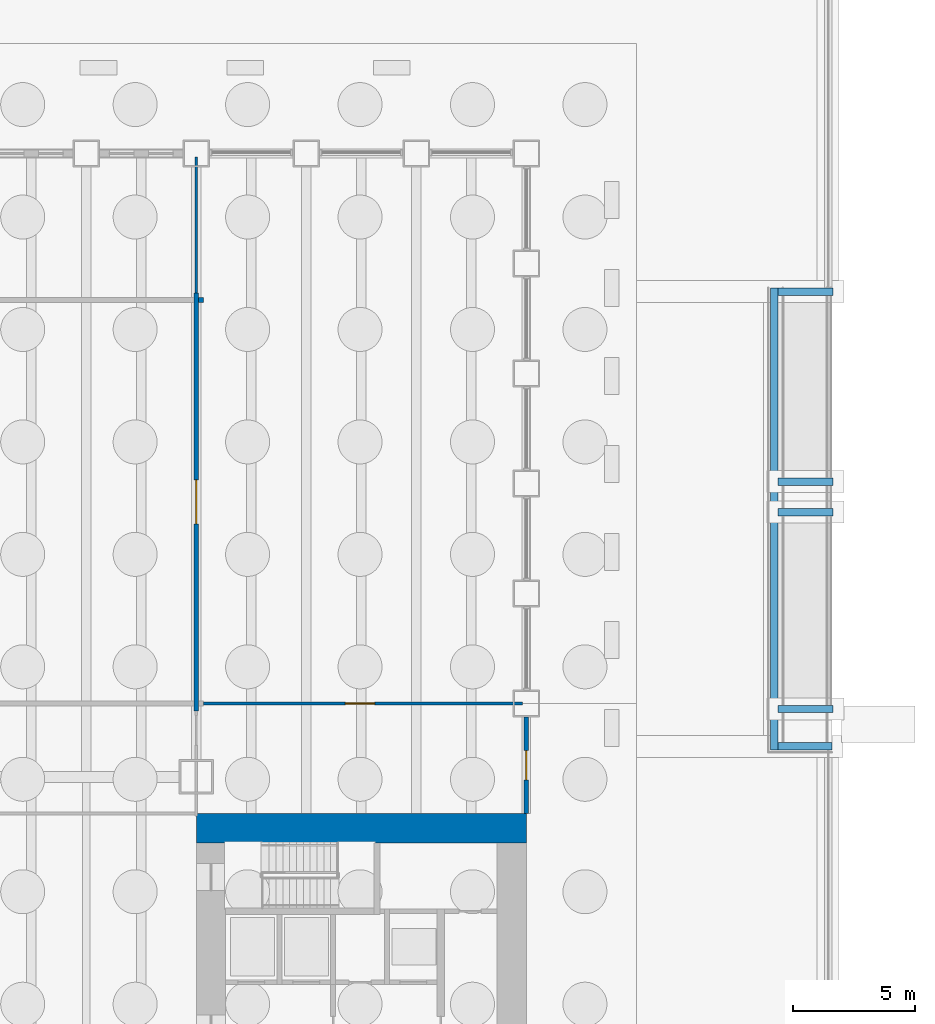
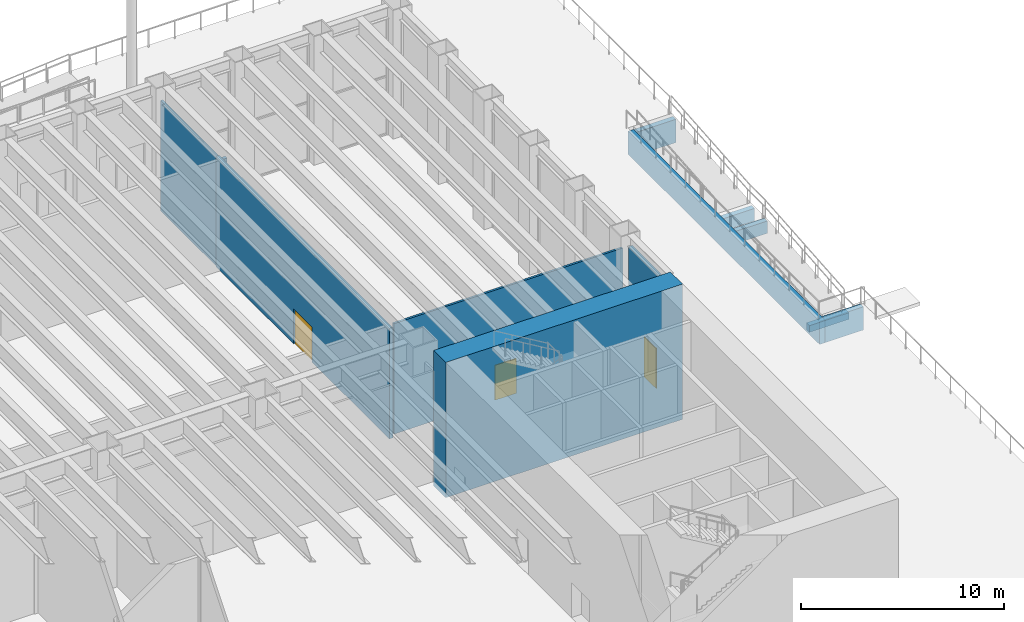
# One storey, part 14 of 26: 12 walls, 3 doors, 3 openings.
"""IFC4 building model written with IfcOpenShell, lengths in metres."""

from ifc_helpers import new_model, si_unit, direction, frame, frame_2d, origin, place, context, subcontext, project, spatial, rectangle, extrude, material, layer, layer_set, type_object, element, fill, save


model = new_model("IFC4")

# Units and contexts
model_context = context("Model", 3, precision=1e-05, world=origin(), true_north=direction((0.0, 1.0)))
body_context = subcontext(model_context, "Body", "Model", "MODEL_VIEW")
ifc_project = project(units=[si_unit("LENGTHUNIT", "METRE"), si_unit("AREAUNIT", "SQUARE_METRE"), si_unit("VOLUMEUNIT", "CUBIC_METRE"), si_unit("PLANEANGLEUNIT", "RADIAN"), si_unit("MASSUNIT", "GRAM", prefix="KILO")], contexts=[model_context])

# Site, building, storey
site_placement = place(None, origin())
site = spatial("IfcSite", under=ifc_project, at=site_placement, CompositionType="ELEMENT")
building_placement = place(site_placement, origin())
building = spatial("IfcBuilding", under=site, at=building_placement, Name="Sennacour Bend Tower", CompositionType="ELEMENT")
storey_placement = place(building_placement, origin())
storey = spatial("IfcBuildingStorey", under=building, at=storey_placement, Name="L00", CompositionType="ELEMENT", Elevation=0.0)

# Wall, opening, door
ifc_material_1 = material(Name="Bronze anodised aluminium panel", Category="aluminium")
ifc_layer_1 = layer(ifc_material_1, 0.030029296875, Name="Bronze anodised aluminium panel", Category="aluminium")
ifc_material_2 = material(Name="Precast concrete C40/50", Category="concrete")
ifc_layer_2 = layer(ifc_material_2, 0.169921875, Name="Precast concrete C40/50", Category="concrete")
ifc_layer_set_1 = layer_set([ifc_layer_1, ifc_layer_2], Name="Precast concrete C40/50 with bronze aluminium panel")
wall_type_1 = type_object("IfcWallType", Name="ALUMINIUM-CLAD INFILL WALL 200", PredefinedType="STANDARD", material=ifc_layer_set_1)
wall_1_placement = place(storey_placement, frame((67.5, 26.449951171875, 0.0), z_axis=(0.0, 0.0, 1.0), x_axis=(0.0, -1.0, 0.0)))
wall_1 = element("IfcWall", 1, at=wall_1_placement, inside=storey, type_object=wall_type_1, Name="Infill wall L00 00.00", PredefinedType="STANDARD", context=body_context, shape_type="SweptSolid", body=[
    extrude(rectangle(XDim=3.948974609375, YDim=0.199951171875, at=frame_2d((1.974609375, 0.0))), origin(), (0.0, 0.0, 1.0), 7.035888671875),
])
opening_1_placement = place(wall_1_placement, frame((1.37451171875, 0.0, 0.0)))
opening_1 = element("IfcOpeningElement", 2, at=opening_1_placement, cuts=wall_1, Name="Opening ED2", PredefinedType="OPENING", context=body_context, shape_type="SweptSolid", body=[
    extrude(rectangle(XDim=1.199951171875, YDim=2.39990234375, at=frame_2d((0.60009765625, 1.199951171875))), frame((0.0, 0.10986328125, 0.0), z_axis=(0.0, -1.0, 0.0), x_axis=(1.0, 0.0, 0.0)), (0.0, 0.0, 1.0), 0.219970703125),
])
ifc_material_3 = material(Name="Steel door leaf", Category="steel")
door_type_1 = type_object("IfcDoorType", Name="DR-SERVICE-1200x2400", OperationType="SINGLE_SWING_RIGHT", PredefinedType="DOOR", material=ifc_material_3)
door_1_placement = place(opening_1_placement, origin())
door_1 = element("IfcDoor", 3, at=door_1_placement, inside=storey, type_object=door_type_1, Name="Exterior door L00 00.00", OperationType="SINGLE_SWING_RIGHT", OverallHeight=2.39990234375, OverallWidth=1.199951171875, PredefinedType="DOOR", context=body_context, shape_type="SweptSolid", body=[
    extrude(rectangle(XDim=1.199951171875, YDim=2.39990234375, at=frame_2d((0.60009765625, 1.199951171875))), frame((0.0, 0.02490234375, 0.0), z_axis=(0.0, -1.0, 0.0), x_axis=(1.0, 0.0, 0.0)), (0.0, 0.0, 1.0), 0.050048828125),
])
fill(opening_1, door_1)

# Walls
ifc_material_4 = material(Name="Concrete C80/95", Category="concrete")
ifc_layer_3 = layer(ifc_material_4, 1.199951171875, Name="Concrete C80/95", Category="concrete")
ifc_layer_set_2 = layer_set([ifc_layer_3], Name="Concrete C80/95")
wall_type_2 = type_object("IfcWallType", Name="Core wall 1200 C80/95", PredefinedType="SHEAR", material=ifc_layer_set_2)
wall_2_placement = place(storey_placement, frame((54.0, 21.89990234375, -0.300048828125), z_axis=(0.0, 0.0, 1.0), x_axis=(1.0, 0.0, 0.0)))
element("IfcWall", 4, at=wall_2_placement, inside=storey, type_object=wall_type_2, Name="Core A wall L00 N", PredefinedType="SHEAR", context=body_context, shape_type="SweptSolid", body=[
    extrude(rectangle(XDim=13.5, YDim=1.199951171875, at=frame_2d((6.75, 0.0))), origin(), (0.0, 0.0, 1.0), 8.150146484375),
])
ifc_material_5 = material(Name="Concrete C40/50", Category="concrete")
ifc_layer_4 = layer(ifc_material_5, 0.300048828125, Name="Concrete C40/50", Category="concrete")
ifc_layer_set_3 = layer_set([ifc_layer_4], Name="Concrete C40/50")
wall_type_3 = type_object("IfcWallType", Name="PLAZA RETAINING WALL 300", PredefinedType="STANDARD", material=ifc_layer_set_3)
wall_3_placement = place(storey_placement, frame((77.64990234375, 44.0, -1.60009765625), z_axis=(0.0, 0.0, 1.0), x_axis=(0.0, -1.0, 0.0)))
element("IfcWall", 5, at=wall_3_placement, inside=storey, type_object=wall_type_3, Name="Plaza retaining wall East ramp", PredefinedType="STANDARD", context=body_context, shape_type="SweptSolid", body=[
    extrude(rectangle(XDim=18.89990234375, YDim=0.300048828125, at=frame_2d((9.449951171875, 0.0))), origin(), (0.0, 0.0, 1.0), 1.400146484375),
])
wall_4_placement = place(storey_placement, frame((77.800048828125, 25.25, -1.60009765625), z_axis=(0.0, 0.0, 1.0), x_axis=(1.0, 0.0, 0.0)))
element("IfcWall", 6, at=wall_4_placement, inside=storey, type_object=wall_type_3, Name="Plaza retaining wall East ramp foot", PredefinedType="STANDARD", context=body_context, shape_type="SweptSolid", body=[
    extrude(rectangle(XDim=2.199951171875, YDim=0.300048828125, at=frame_2d((1.10009765625, 0.0))), origin(), (0.0, 0.0, 1.0), 1.400146484375),
])
wall_5_placement = place(storey_placement, frame((77.800048828125, 43.85009765625, -1.60009765625), z_axis=(0.0, 0.0, 1.0), x_axis=(1.0, 0.0, 0.0)))
element("IfcWall", 7, at=wall_5_placement, inside=storey, type_object=wall_type_3, Name="Ramp bearing wall 1 East", PredefinedType="STANDARD", context=body_context, shape_type="SweptSolid", body=[
    extrude(rectangle(XDim=2.25, YDim=0.300048828125, at=frame_2d((1.125, 0.0))), origin(), (0.0, 0.0, 1.0), 1.400146484375),
])
for number, where, z_axis, x_axis, name in (
    (8, (77.800048828125, 36.074951171875, -1.60009765625), (0.0, 0.0, 1.0), (1.0, 0.0, 0.0), "Ramp bearing wall 2 East"),
    (9, (77.800048828125, 34.824951171875, -1.60009765625), (0.0, 0.0, 1.0), (1.0, 0.0, 0.0), "Ramp bearing wall 3 East"),
):
    element("IfcWall", number, at=place(storey_placement, frame(where, z_axis=z_axis, x_axis=x_axis)), inside=storey, type_object=wall_type_3, Name=name, PredefinedType="STANDARD", context=body_context, shape_type="SweptSolid", body=[
        extrude(rectangle(XDim=2.25, YDim=0.300048828125, at=frame_2d((1.125, 0.0))), origin(), (0.0, 0.0, 1.0), 0.75),
    ])
wall_6_placement = place(storey_placement, frame((77.800048828125, 26.77490234375, -1.89990234375), z_axis=(0.0, 0.0, 1.0), x_axis=(1.0, 0.0, 0.0)))
element("IfcWall", 10, at=wall_6_placement, inside=storey, type_object=wall_type_3, Name="Ramp bearing wall 4 East", PredefinedType="STANDARD", context=body_context, shape_type="SweptSolid", body=[
    extrude(rectangle(XDim=2.25, YDim=0.300048828125, at=frame_2d((1.125, 0.0))), origin(), (0.0, 0.0, 1.0), 0.39990234375),
])
ifc_material_6 = material(Name="Plasterboard partition on steel studs", Category="steel")
ifc_layer_5 = layer(ifc_material_6, 0.1201171875, Name="Plasterboard partition on steel studs", Category="steel")
ifc_layer_set_4 = layer_set([ifc_layer_5], Name="Plasterboard partition on steel studs")
wall_type_4 = type_object("IfcWallType", Name="Partition 120", PredefinedType="PARTITIONING", material=ifc_layer_set_4)
wall_7_placement = place(storey_placement, frame((54.0, 43.800048828125, 0.0), z_axis=(0.0, 0.0, 1.0), x_axis=(0.0, 1.0, 0.0)))
element("IfcWall", 11, at=wall_7_placement, inside=storey, type_object=wall_type_4, Name="P-L00-W033a", PredefinedType="PARTITIONING", context=body_context, shape_type="SweptSolid", body=[
    extrude(rectangle(XDim=5.550048828125, YDim=0.1201171875, at=frame_2d((2.77490234375, 0.0))), origin(), (0.0, 0.0, 1.0), 6.66015625),
])

# Wall, opening, door
ifc_layer_6 = layer(ifc_material_6, 0.1201171875, Name="Plasterboard partition on steel studs", Category="steel")
ifc_layer_set_5 = layer_set([ifc_layer_6], Name="Plasterboard partition on steel studs")
wall_type_5 = type_object("IfcWallType", Name="Partition 120 EI 60", PredefinedType="PARTITIONING", material=ifc_layer_set_5)
wall_8_placement = place(storey_placement, frame((54.300048828125, 27.0, 0.0), z_axis=(0.0, 0.0, 1.0), x_axis=(1.0, 0.0, 0.0)))
wall_8 = element("IfcWall", 12, at=wall_8_placement, inside=storey, type_object=wall_type_5, Name="P-L00-W073a", PredefinedType="PARTITIONING", context=body_context, shape_type="SweptSolid", body=[
    extrude(rectangle(XDim=13.050048828125, YDim=0.1201171875, at=frame_2d((6.52490234375, 0.0))), origin(), (0.0, 0.0, 1.0), 6.66015625),
])
opening_2_placement = place(wall_8_placement, frame((5.794921875, 0.0, 0.0)))
opening_2 = element("IfcOpeningElement", 13, at=opening_2_placement, cuts=wall_8, Name="Opening SV5", PredefinedType="OPENING", context=body_context, shape_type="SweptSolid", body=[
    extrude(rectangle(XDim=1.199951171875, YDim=2.10009765625, at=frame_2d((0.60009765625, 1.050048828125))), frame((0.0, 0.070068359375, 0.0), z_axis=(0.0, -1.0, 0.0), x_axis=(1.0, 0.0, 0.0)), (0.0, 0.0, 1.0), 0.14013671875),
])
ifc_material_7 = material(Name="Painted steel", Category="steel")
door_type_2 = type_object("IfcDoorType", Name="DR-SERVICE-1200", OperationType="NOTDEFINED", PredefinedType="DOOR", material=ifc_material_7)
door_2_placement = place(opening_2_placement, origin())
door_2 = element("IfcDoor", 14, at=door_2_placement, inside=storey, type_object=door_type_2, Name="Door", OperationType="SINGLE_SWING_LEFT", OverallHeight=2.10009765625, OverallWidth=1.199951171875, PredefinedType="DOOR", context=body_context, shape_type="SweptSolid", body=[
    extrude(rectangle(XDim=1.199951171875, YDim=2.10009765625, at=frame_2d((0.60009765625, 1.050048828125))), frame((0.0, 0.02490234375, 0.0), z_axis=(0.0, -1.0, 0.0), x_axis=(1.0, 0.0, 0.0)), (0.0, 0.0, 1.0), 0.050048828125),
])
fill(opening_2, door_2)

ifc_material_8 = material(Name="Fire-rated plasterboard partition on steel studs", Category="steel")
ifc_layer_7 = layer(ifc_material_8, 0.199951171875, Name="Fire-rated plasterboard partition on steel studs", Category="steel")
ifc_layer_set_6 = layer_set([ifc_layer_7], Name="Fire-rated plasterboard partition on steel studs")
wall_type_6 = type_object("IfcWallType", Name="Rated partition 200", PredefinedType="PARTITIONING", material=ifc_layer_set_6)
wall_9_placement = place(storey_placement, frame((54.0, 26.699951171875, 0.0), z_axis=(0.0, 0.0, 1.0), x_axis=(0.0, 1.0, 0.0)))
wall_9 = element("IfcWall", 15, at=wall_9_placement, inside=storey, type_object=wall_type_6, Name="P-L00-W032a", PredefinedType="PARTITIONING", context=body_context, shape_type="SweptSolid", body=[
    extrude(rectangle(XDim=17.10009765625, YDim=0.199951171875, at=frame_2d((8.550048828125, 0.0))), origin(), (0.0, 0.0, 1.0), 6.66015625),
])
opening_3_placement = place(wall_9_placement, frame((7.64990234375, 0.0, 0.0)))
opening_3 = element("IfcOpeningElement", 16, at=opening_3_placement, cuts=wall_9, Name="Opening SV4", PredefinedType="OPENING", context=body_context, shape_type="SweptSolid", body=[
    extrude(rectangle(XDim=1.800048828125, YDim=2.10009765625, at=frame_2d((0.89990234375, 1.050048828125))), frame((0.0, 0.10986328125, 0.0), z_axis=(0.0, -1.0, 0.0), x_axis=(1.0, 0.0, 0.0)), (0.0, 0.0, 1.0), 0.219970703125),
])
door_type_3 = type_object("IfcDoorType", Name="DR-SERVICE-1800", OperationType="NOTDEFINED", PredefinedType="DOOR", material=ifc_material_7)
door_3_placement = place(opening_3_placement, origin())
door_3 = element("IfcDoor", 17, at=door_3_placement, inside=storey, type_object=door_type_3, Name="Door", OperationType="DOUBLE_DOOR_SINGLE_SWING", OverallHeight=2.10009765625, OverallWidth=1.800048828125, PredefinedType="DOOR", context=body_context, shape_type="SweptSolid", body=[
    extrude(rectangle(XDim=1.800048828125, YDim=2.10009765625, at=frame_2d((0.89990234375, 1.050048828125))), frame((0.0, 0.02490234375, 0.0), z_axis=(0.0, -1.0, 0.0), x_axis=(1.0, 0.0, 0.0)), (0.0, 0.0, 1.0), 0.050048828125),
])
fill(opening_3, door_3)

# Wall
wall_10_placement = place(storey_placement, frame((54.10009765625, 43.5, 0.0), z_axis=(0.0, 0.0, 1.0), x_axis=(1.0, 0.0, 0.0)))
element("IfcWall", 18, at=wall_10_placement, inside=storey, type_object=wall_type_6, Name="P-L00-W082ac", PredefinedType="PARTITIONING", context=body_context, shape_type="SweptSolid", body=[
    extrude(rectangle(XDim=0.199951171875, YDim=0.199951171875, at=frame_2d((0.10009765625, 0.0))), origin(), (0.0, 0.0, 1.0), 6.66015625),
])

save(model, "model.ifc")
